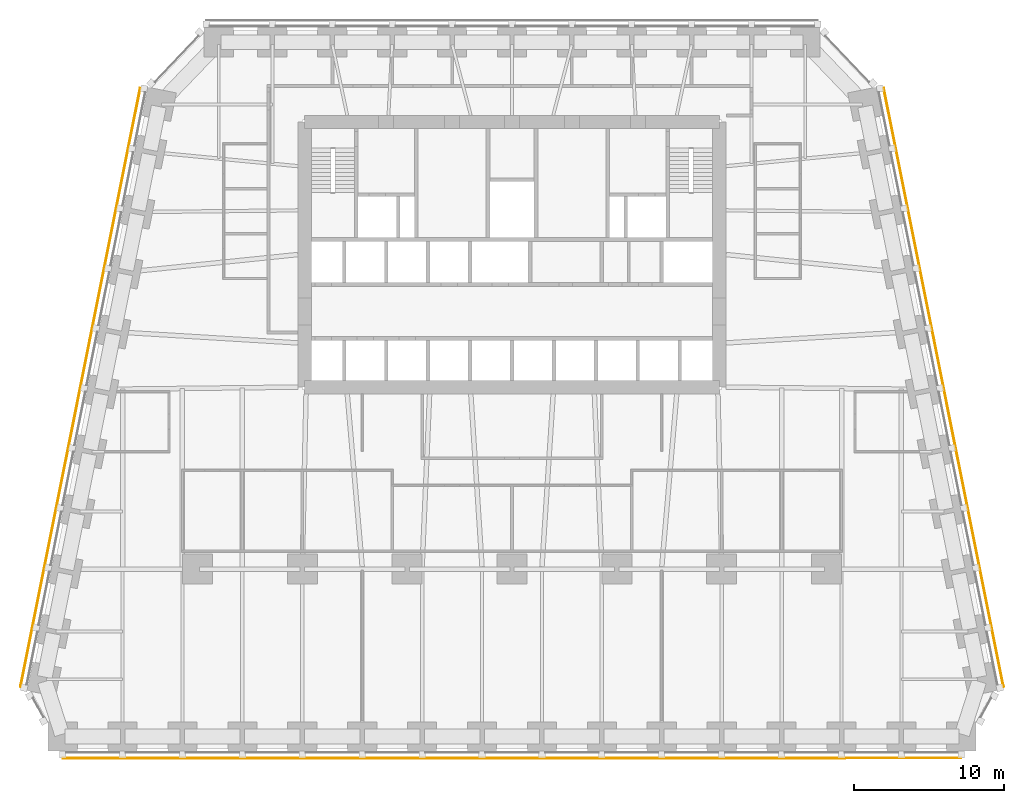
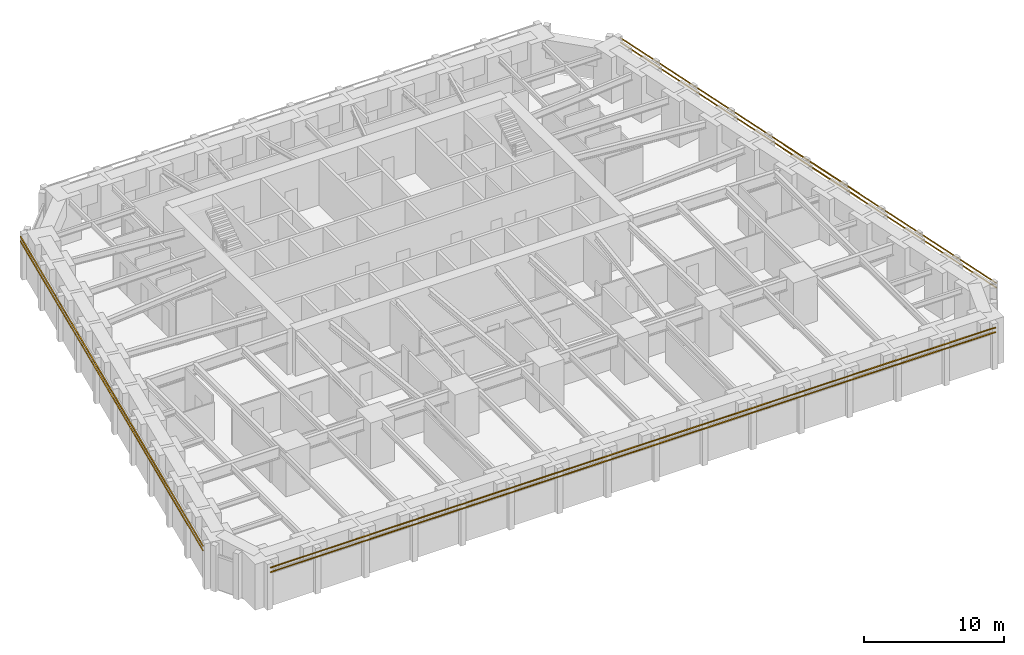
# One storey, part 9 of 10: 6 shading devices.
"""IFC4 building model written with IfcOpenShell, lengths in metres."""

from ifc_helpers import new_model, si_unit, direction, frame, origin, origin_2d, place, context, subcontext, project, spatial, rectangle, extrude, material, material_profile, profile_set, type_object, element, save


model = new_model("IFC4")

# Units and contexts
model_context = context("Model", 3, precision=1e-05, world=origin(), true_north=direction((0.0, 1.0)))
body_context = subcontext(model_context, "Body", "Model", "MODEL_VIEW")
ifc_project = project(units=[si_unit("LENGTHUNIT", "METRE"), si_unit("AREAUNIT", "SQUARE_METRE"), si_unit("VOLUMEUNIT", "CUBIC_METRE"), si_unit("PLANEANGLEUNIT", "RADIAN"), si_unit("MASSUNIT", "GRAM", prefix="KILO")], contexts=[model_context])

# Site, building, storey
site_placement = place(None, origin())
site = spatial("IfcSite", under=ifc_project, at=site_placement, CompositionType="ELEMENT")
building_placement = place(site_placement, origin())
building = spatial("IfcBuilding", under=site, at=building_placement, Name="Isbrekke Arena Tower", CompositionType="ELEMENT")
storey_placement = place(building_placement, frame((0.0, 0.0, 80.0)))
storey = spatial("IfcBuildingStorey", under=building, at=storey_placement, Name="L17", CompositionType="ELEMENT", Elevation=80.0)

# Shading devices
ifc_material = material(Name="Terracotta", Category="masonry")
ifc_material_profile = material_profile(ifc_material, rectangle(XDim=0.06005859375, YDim=0.06005859375, at=origin_2d()), Name="BAGUETTE 60X60")
ifc_profile_set = profile_set([ifc_material_profile], Name="Terracotta")
shading_device_type = type_object("IfcShadingDeviceType", Name="BG1 TERRACOTTA BAGUETTE 60 x 60", PredefinedType="USERDEFINED", material=ifc_profile_set)
for number, where, z_axis, x_axis, name in (
    (1, (-30.0, -18.6298828125, 3.280029296875), (1.0, 0.0, 0.0), (0.0, 1.0, 0.0), "BG1 terracotta baguette S1 L17"),
    (2, (-30.0, -18.6298828125, 3.679931640625), (1.0, 0.0, 0.0), (0.0, 1.0, 0.0), "BG1 terracotta baguette S2 L17"),
):
    element("IfcShadingDevice", number, at=place(storey_placement, frame(where, z_axis=z_axis, x_axis=x_axis)), inside=storey, type_object=shading_device_type, Name=name, ObjectType="TERRACOTTA BAGUETTE", PredefinedType="USERDEFINED", context=body_context, shape_type="SweptSolid", body=[
        extrude(rectangle(XDim=0.06005859375, YDim=0.06005859375, at=origin_2d()), origin(), (0.0, 0.0, 1.0), 60.0),
    ])
for number, where, z_axis, x_axis, name in (
    (3, (32.81787109375, -13.87646484375, 3.280029296875), (-0.196116135138, 0.980580675691, 0.0), (-0.980580675691, -0.196116135138, 0.0), "BG1 terracotta baguette E1 L17"),
    (4, (32.81787109375, -13.87646484375, 3.679931640625), (-0.196116135138, 0.980580675691, 0.0), (-0.980580675691, -0.196116135138, 0.0), "BG1 terracotta baguette E2 L17"),
    (5, (-24.81787109375, 26.12353515625, 3.280029296875), (-0.196116135138, -0.980580675691, 0.0), (0.980580675691, -0.196116135138, 0.0), "BG1 terracotta baguette W1 L17"),
    (6, (-24.81787109375, 26.12353515625, 3.679931640625), (-0.196116135138, -0.980580675691, 0.0), (0.980580675691, -0.196116135138, 0.0), "BG1 terracotta baguette W2 L17"),
):
    element("IfcShadingDevice", number, at=place(storey_placement, frame(where, z_axis=z_axis, x_axis=x_axis)), inside=storey, type_object=shading_device_type, Name=name, ObjectType="TERRACOTTA BAGUETTE", PredefinedType="USERDEFINED", context=body_context, shape_type="SweptSolid", body=[
        extrude(rectangle(XDim=0.06005859375, YDim=0.06005859375, at=origin_2d()), origin(), (0.0, 0.0, 1.0), 40.792236328125),
    ])

save(model, "model.ifc")
